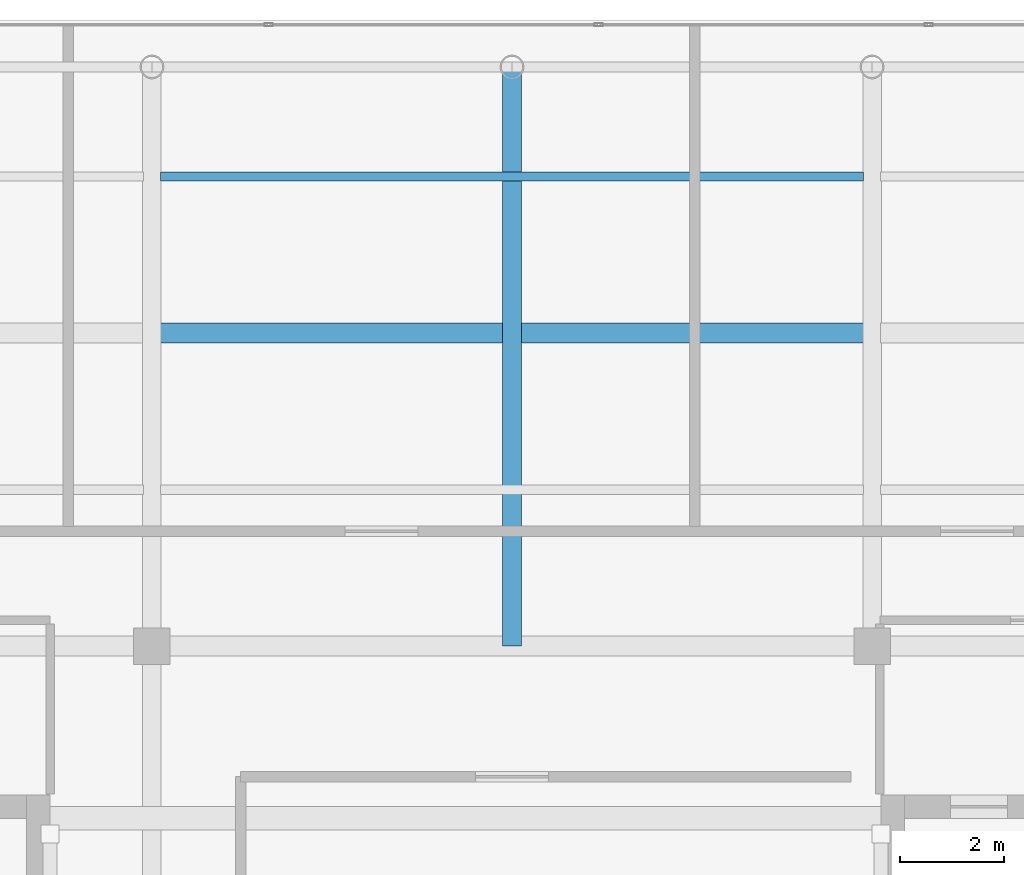
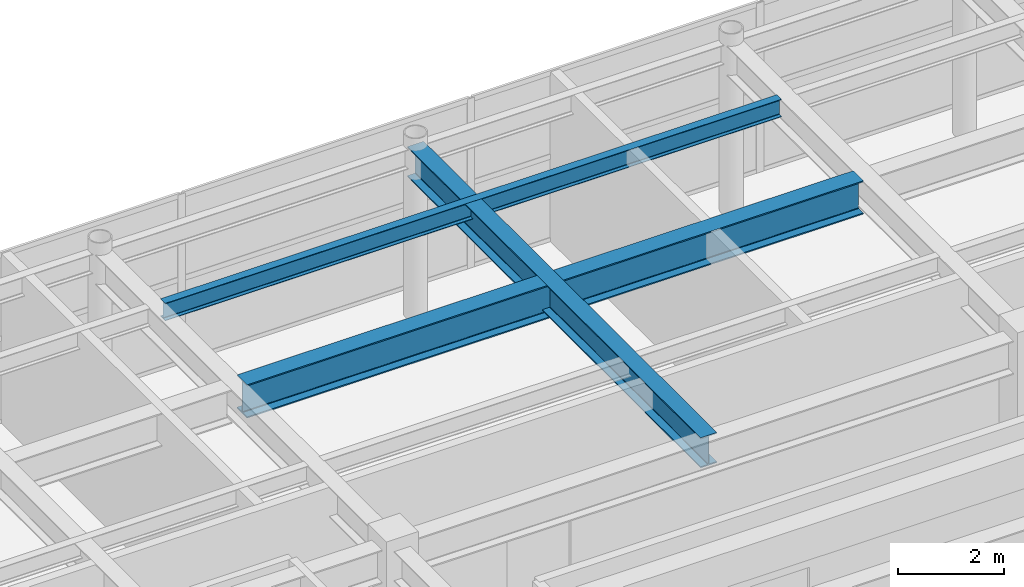
# One storey, part 24 of 32: 3 beams.
"""IFC4 building model written with IfcOpenShell, lengths in metres."""

from ifc_helpers import new_model, si_unit, direction, frame, origin, origin_2d, place, context, subcontext, project, spatial, i_section, extrude, source, transform, mapped, material, material_profile, profile_set, type_object, element, save


model = new_model("IFC4")

# Units and contexts
model_context = context("Model", 3, precision=1e-05, world=origin(), true_north=direction((0.0, 1.0)))
body_context = subcontext(model_context, "Body", "Model", "MODEL_VIEW")
ifc_project = project(units=[si_unit("LENGTHUNIT", "METRE"), si_unit("AREAUNIT", "SQUARE_METRE"), si_unit("VOLUMEUNIT", "CUBIC_METRE"), si_unit("PLANEANGLEUNIT", "RADIAN"), si_unit("MASSUNIT", "GRAM", prefix="KILO")], contexts=[model_context])

# Site, building, storey
site_placement = place(None, origin())
site = spatial("IfcSite", under=ifc_project, at=site_placement, CompositionType="ELEMENT")
building_placement = place(site_placement, origin())
building = spatial("IfcBuilding", under=site, at=building_placement, Name="Khoralis Quay Care Tower", CompositionType="ELEMENT")
storey_placement = place(building_placement, frame((0.0, 0.0, 310.5)))
storey = spatial("IfcBuildingStorey", under=building, at=storey_placement, Name="L81", CompositionType="ELEMENT", Elevation=310.5)

# Beams
ifc_material = material(Name="Steel S355", Category="steel")
ifc_material_profile_1 = material_profile(ifc_material, i_section(OverallWidth=0.381103515625, OverallDepth=0.77294921875, WebThickness=0.0166015625, FlangeThickness=0.027587890625, FilletRadius=0.02197265625, at=origin_2d()), Name="Steel S355")
ifc_profile_set_1 = profile_set([ifc_material_profile_1], Name="Steel S355")
beam_type_1 = type_object("IfcBeamType", Name="BM-W760X257", PredefinedType="BEAM", material=ifc_profile_set_1)
shared_shape_1 = source(origin(), body_context, "Body", "SweptSolid", [
    extrude(i_section(OverallWidth=0.381103515625, OverallDepth=0.77294921875, WebThickness=0.0166015625, FlangeThickness=0.027587890625, FilletRadius=0.02197265625, at=origin_2d()), origin(), (0.0, 0.0, 1.0), 13.46923828125),
])
beam_1_placement = place(storey_placement, frame((17.265380859375, 36.0, 3.533447265625), z_axis=(1.0, 0.0, 0.0), x_axis=(0.0, 1.0, 0.0)))
element("IfcBeam", 1, at=beam_1_placement, inside=storey, type_object=beam_type_1, Name="BM-TGCC-L81-360", PredefinedType="BEAM", context=body_context, shape_type="MappedRepresentation", body=[
    mapped(shared_shape_1, transform((0.0, 0.0, 0.0), scale=1.0)),
])
ifc_material_profile_2 = material_profile(ifc_material, i_section(OverallWidth=0.35498046875, OverallDepth=0.695068359375, WebThickness=0.015380859375, FlangeThickness=0.02490234375, FilletRadius=0.02001953125, at=origin_2d()), Name="Steel S355")
ifc_profile_set_2 = profile_set([ifc_material_profile_2], Name="Steel S355")
beam_type_2 = type_object("IfcBeamType", Name="BM-W690X217", PredefinedType="BEAM", material=ifc_profile_set_2)
shared_shape_2 = source(origin(), body_context, "Body", "SweptSolid", [
    extrude(i_section(OverallWidth=0.35498046875, OverallDepth=0.695068359375, WebThickness=0.015380859375, FlangeThickness=0.02490234375, FilletRadius=0.02001953125, at=origin_2d()), origin(), (0.0, 0.0, 1.0), 11.10009765625),
])
beam_2_placement = place(storey_placement, frame((24.0, 30.0, 3.572509765625), z_axis=(0.0, 1.0, 0.0), x_axis=(-1.0, 0.0, 0.0)))
element("IfcBeam", 2, at=beam_2_placement, inside=storey, type_object=beam_type_2, Name="BM-TGYN-L81-240", PredefinedType="BEAM", context=body_context, shape_type="MappedRepresentation", body=[
    mapped(shared_shape_2, transform((0.0, 0.0, 0.0), scale=1.0)),
])
ifc_material_profile_3 = material_profile(ifc_material, i_section(OverallWidth=0.177978515625, OverallDepth=0.406982421875, WebThickness=0.0078125, FlangeThickness=0.0126953125, FilletRadius=0.012939453125, at=origin_2d()), Name="Steel S355")
ifc_profile_set_3 = profile_set([ifc_material_profile_3], Name="Steel S355")
beam_type_3 = type_object("IfcBeamType", Name="BM-W410X60", PredefinedType="JOIST", material=ifc_profile_set_3)
shared_shape_3 = source(origin(), body_context, "Body", "SweptSolid", [
    extrude(i_section(OverallWidth=0.177978515625, OverallDepth=0.406982421875, WebThickness=0.0078125, FlangeThickness=0.0126953125, FilletRadius=0.012939453125, at=origin_2d()), origin(), (0.0, 0.0, 1.0), 13.46923828125),
])
beam_3_placement = place(storey_placement, frame((17.265380859375, 39.0, 3.716552734375), z_axis=(1.0, 0.0, 0.0), x_axis=(0.0, 1.0, 0.0)))
element("IfcBeam", 3, at=beam_3_placement, inside=storey, type_object=beam_type_3, Name="BM-TJS-L81-29", PredefinedType="JOIST", context=body_context, shape_type="MappedRepresentation", body=[
    mapped(shared_shape_3, transform((0.0, 0.0, 0.0), scale=1.0)),
])

save(model, "model.ifc")
